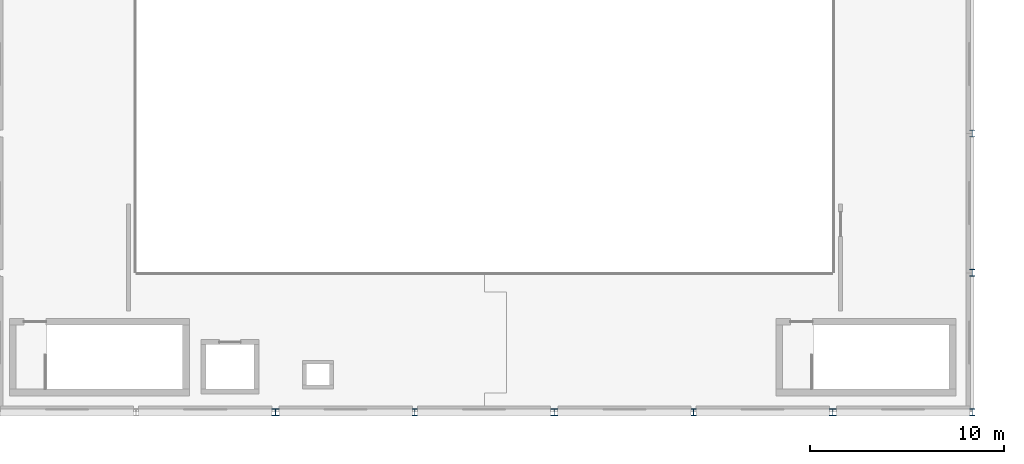
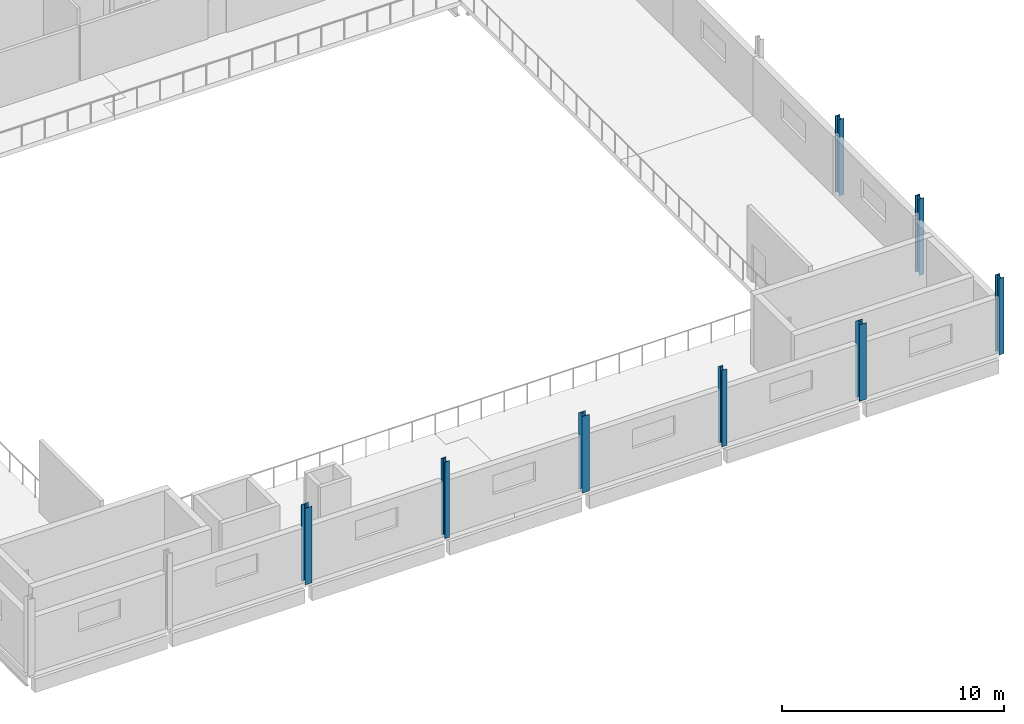
# One storey, part 16 of 94: 8 columns.
"""IFC4 building model written with IfcOpenShell, lengths in metres."""

from ifc_helpers import new_model, si_unit, direction, frame, origin, origin_2d, place, context, subcontext, project, spatial, i_section, extrude, material, material_profile, profile_set, type_object, element, save


model = new_model("IFC4")

# Units and contexts
model_context = context("Model", 3, precision=1e-05, world=origin(), true_north=direction((0.0, 1.0)))
body_context = subcontext(model_context, "Body", "Model", "MODEL_VIEW")
ifc_project = project(units=[si_unit("LENGTHUNIT", "METRE"), si_unit("AREAUNIT", "SQUARE_METRE"), si_unit("VOLUMEUNIT", "CUBIC_METRE"), si_unit("PLANEANGLEUNIT", "RADIAN"), si_unit("MASSUNIT", "GRAM", prefix="KILO")], contexts=[model_context])

# Site, building, storey
site_placement = place(None, origin())
site = spatial("IfcSite", under=ifc_project, at=site_placement, CompositionType="ELEMENT")
building_placement = place(site_placement, origin())
building = spatial("IfcBuilding", under=site, at=building_placement, Name="Kalmorath City Hall", CompositionType="ELEMENT")
storey_placement = place(building_placement, frame((0.0, 0.0, 14.699951171875)))
storey = spatial("IfcBuildingStorey", under=building, at=storey_placement, Name="L03", CompositionType="ELEMENT", Elevation=14.699951171875)

# Columns
ifc_material_1 = material(Name="Steel ASTM A992 Grade 50", Category="steel")
ifc_material_profile_1 = material_profile(ifc_material_1, i_section(OverallWidth=0.256103515625, OverallDepth=0.360107421875, WebThickness=0.011474609375, FlangeThickness=0.02001953125, FilletRadius=0.014892578125, at=origin_2d()), Name="W14X74")
ifc_profile_set_1 = profile_set([ifc_material_profile_1], Name="Steel ASTM A992 Grade 50")
column_type_1 = type_object("IfcColumnType", Name="Steel wide-flange column W14X74", PredefinedType="COLUMN", material=ifc_profile_set_1)
for number, where, z_axis, x_axis, name in (
    (1, (136.800048828125, 0.0, 0.0), (0.0, 0.0, 1.0), (1.0, 0.0, 0.0), "L03 column SC4 (20/1)"),
    (2, (151.199951171875, 0.0, 0.0), (0.0, 0.0, 1.0), (1.0, 0.0, 0.0), "L03 column SC4 (22/1)"),
    (3, (165.60009765625, 0.0, 0.0), (0.0, 0.0, 1.0), (1.0, 0.0, 0.0), "L03 column SC4 (24/1)"),
    (4, (165.60009765625, 7.199951171875, 0.0), (0.0, 0.0, 1.0), (1.0, 0.0, 0.0), "L03 column SC4 (24/2)"),
    (5, (165.60009765625, 14.39990234375, 0.0), (0.0, 0.0, 1.0), (1.0, 0.0, 0.0), "L03 column SC4 (24/3)"),
):
    element("IfcColumn", number, at=place(storey_placement, frame(where, z_axis=z_axis, x_axis=x_axis)), inside=storey, type_object=column_type_1, Name=name, PredefinedType="COLUMN", context=body_context, shape_type="SweptSolid", body=[
        extrude(i_section(OverallWidth=0.256103515625, OverallDepth=0.360107421875, WebThickness=0.011474609375, FlangeThickness=0.02001953125, FilletRadius=0.014892578125, at=origin_2d()), origin(), (0.0, 0.0, 1.0), 4.199951171875),
    ])
ifc_material_2 = material(Name="Steel ASTM A992 Grade 50", Category="steel")
ifc_material_profile_2 = material_profile(ifc_material_2, i_section(OverallWidth=0.368896484375, OverallDepth=0.35595703125, WebThickness=0.01123046875, FlangeThickness=0.01806640625, FilletRadius=0.01806640625, at=origin_2d()), Name="W14X90")
ifc_profile_set_2 = profile_set([ifc_material_profile_2], Name="Steel ASTM A992 Grade 50")
column_type_2 = type_object("IfcColumnType", Name="Steel wide-flange column W14X90", PredefinedType="COLUMN", material=ifc_profile_set_2)
for number, where, z_axis, x_axis, name in (
    (6, (129.60009765625, 0.0, 0.0), (0.0, 0.0, 1.0), (1.0, 0.0, 0.0), "L03 column SC3 (19/1)"),
    (7, (144.0, 0.0, 0.0), (0.0, 0.0, 1.0), (1.0, 0.0, 0.0), "L03 column SC3 (21/1)"),
    (8, (158.39990234375, 0.0, 0.0), (0.0, 0.0, 1.0), (1.0, 0.0, 0.0), "L03 column SC3 (23/1)"),
):
    element("IfcColumn", number, at=place(storey_placement, frame(where, z_axis=z_axis, x_axis=x_axis)), inside=storey, type_object=column_type_2, Name=name, PredefinedType="COLUMN", context=body_context, shape_type="SweptSolid", body=[
        extrude(i_section(OverallWidth=0.368896484375, OverallDepth=0.35595703125, WebThickness=0.01123046875, FlangeThickness=0.01806640625, FilletRadius=0.01806640625, at=origin_2d()), origin(), (0.0, 0.0, 1.0), 4.199951171875),
    ])

save(model, "model.ifc")
